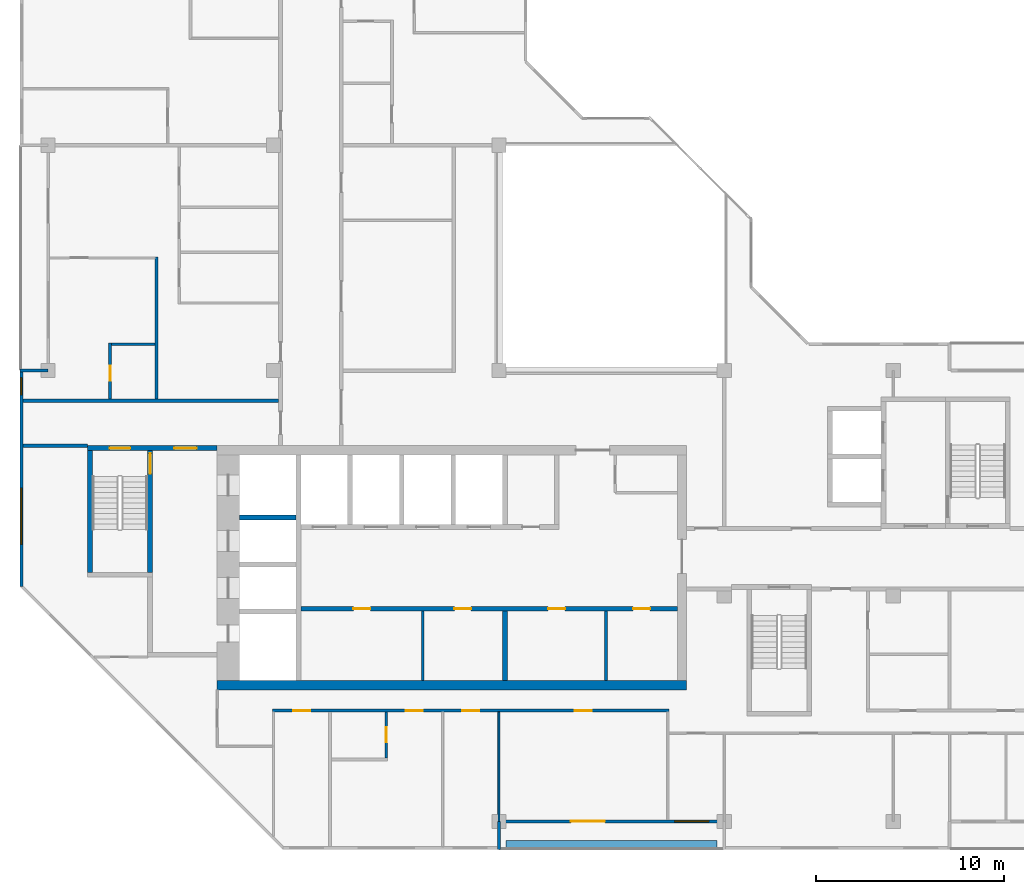
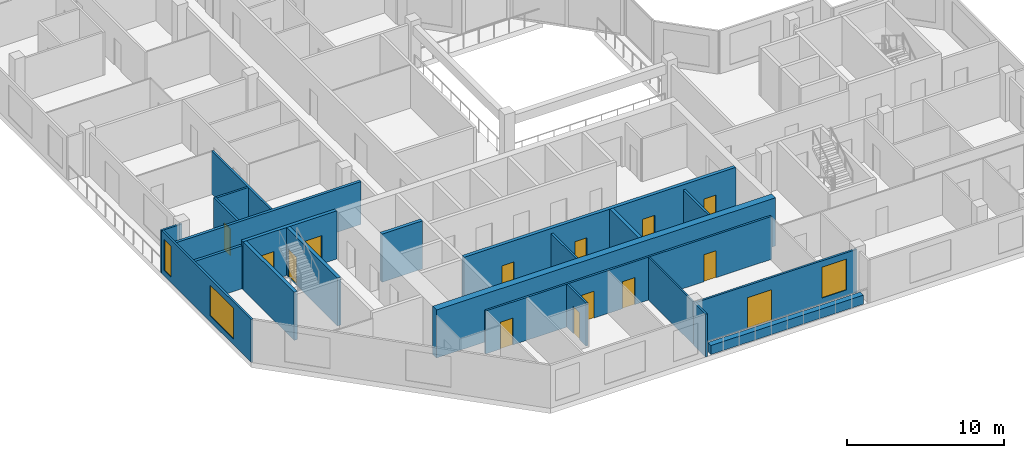
# One storey, part 4 of 12: 22 walls, 14 doors, 3 windows, 17 openings.
"""IFC4 building model written with IfcOpenShell, lengths in metres."""

from ifc_helpers import new_model, si_unit, direction, frame, frame_2d, origin, place, context, subcontext, project, spatial, rectangle, extrude, material, layer, layer_set, type_object, element, fill, save


model = new_model("IFC4")

# Units and contexts
model_context = context("Model", 3, precision=1e-05, world=origin(), true_north=direction((0.0, 1.0)))
body_context = subcontext(model_context, "Body", "Model", "MODEL_VIEW")
ifc_project = project(units=[si_unit("LENGTHUNIT", "METRE"), si_unit("AREAUNIT", "SQUARE_METRE"), si_unit("VOLUMEUNIT", "CUBIC_METRE"), si_unit("PLANEANGLEUNIT", "RADIAN"), si_unit("MASSUNIT", "GRAM", prefix="KILO")], contexts=[model_context])

# Site, building, storey
site_placement = place(None, origin())
site = spatial("IfcSite", under=ifc_project, at=site_placement, CompositionType="ELEMENT")
building_placement = place(site_placement, origin())
building = spatial("IfcBuilding", under=site, at=building_placement, Name="Chenar Terraces", CompositionType="ELEMENT")
storey_placement = place(building_placement, frame((0.0, 0.0, 372.64990234375)))
storey = spatial("IfcBuildingStorey", under=building, at=storey_placement, Name="L87", CompositionType="ELEMENT", Elevation=372.64990234375)

# Walls
ifc_material_1 = material(Name="Gypsum board on steel studs", Category="steel")
ifc_layer_1 = layer(ifc_material_1, 0.14990234375)
ifc_layer_set_1 = layer_set([ifc_layer_1], Name="Gypsum board on steel studs")
wall_type_1 = type_object("IfcWallType", Name="Core partition 150 gypsum board", PredefinedType="PARTITIONING", material=ifc_layer_set_1)
for number, where, z_axis, x_axis, name in (
    (1, (19.949951171875, 7.5, 0.0), (0.0, 0.0, 1.0), (0.0, 1.0, 0.0), "Core partition CP1 freed bay wall"),
    (2, (29.699951171875, 7.5, 0.0), (0.0, 0.0, 1.0), (0.0, 1.0, 0.0), "Core partition CP1 freed bay wall"),
):
    element("IfcWall", number, at=place(storey_placement, frame(where, z_axis=z_axis, x_axis=x_axis)), inside=storey, type_object=wall_type_1, Name=name, PredefinedType="PARTITIONING", context=body_context, shape_type="SweptSolid", body=[
        extrude(rectangle(XDim=3.699951171875, YDim=0.14990234375, at=frame_2d((1.85009765625, 0.0))), origin(), (0.0, 0.0, 1.0), 3.35009765625),
    ])

# Wall, openings, doors
ifc_material_2 = material(Name="Concrete C50/60", Category="concrete")
ifc_layer_2 = layer(ifc_material_2, 0.25)
ifc_layer_set_2 = layer_set([ifc_layer_2], Name="Concrete C50/60")
wall_type_2 = type_object("IfcWallType", Name="Core wall 250 Concrete C50/60", PredefinedType="SHEAR", material=ifc_layer_set_2)
wall_1_placement = place(storey_placement, frame((13.449951171875, 11.324951171875, 0.0), z_axis=(0.0, 0.0, 1.0), x_axis=(1.0, 0.0, 0.0)))
wall_1 = element("IfcWall", 3, at=wall_1_placement, inside=storey, type_object=wall_type_2, Name="Core wall SF L87", PredefinedType="SHEAR", context=body_context, shape_type="SweptSolid", body=[
    extrude(rectangle(XDim=20.050048828125, YDim=0.25, at=frame_2d((10.02490234375, 0.0))), origin(), (0.0, 0.0, 1.0), 3.75),
])
opening_1_placement = place(wall_1_placement, frame((2.800048828125, 0.0, 0.0)))
opening_1 = element("IfcOpeningElement", 4, at=opening_1_placement, cuts=wall_1, Name="Opening DL87-C12", PredefinedType="OPENING", context=body_context, shape_type="SweptSolid", body=[
    extrude(rectangle(XDim=0.89990234375, YDim=2.10009765625, at=frame_2d((0.449951171875, 1.050048828125))), frame((0.0, 0.135009765625, 0.0), z_axis=(0.0, -1.0, 0.0), x_axis=(1.0, 0.0, 0.0)), (0.0, 0.0, 1.0), 0.27001953125),
])
opening_2_placement = place(wall_1_placement, frame((8.175048828125, 0.0, 0.0)))
opening_2 = element("IfcOpeningElement", 5, at=opening_2_placement, cuts=wall_1, Name="Opening DL87-C13", PredefinedType="OPENING", context=body_context, shape_type="SweptSolid", body=[
    extrude(rectangle(XDim=0.89990234375, YDim=2.10009765625, at=frame_2d((0.449951171875, 1.050048828125))), frame((0.0, 0.135009765625, 0.0), z_axis=(0.0, -1.0, 0.0), x_axis=(1.0, 0.0, 0.0)), (0.0, 0.0, 1.0), 0.27001953125),
])
opening_3_placement = place(wall_1_placement, frame((13.175048828125, 0.0, 0.0)))
opening_3 = element("IfcOpeningElement", 6, at=opening_3_placement, cuts=wall_1, Name="Opening DL87-C14", PredefinedType="OPENING", context=body_context, shape_type="SweptSolid", body=[
    extrude(rectangle(XDim=0.89990234375, YDim=2.10009765625, at=frame_2d((0.449951171875, 1.050048828125))), frame((0.0, 0.135009765625, 0.0), z_axis=(0.0, -1.0, 0.0), x_axis=(1.0, 0.0, 0.0)), (0.0, 0.0, 1.0), 0.27001953125),
])
opening_4_placement = place(wall_1_placement, frame((17.699951171875, 0.0, 0.0)))
opening_4 = element("IfcOpeningElement", 7, at=opening_4_placement, cuts=wall_1, Name="Opening DL87-C15", PredefinedType="OPENING", context=body_context, shape_type="SweptSolid", body=[
    extrude(rectangle(XDim=0.89990234375, YDim=2.10009765625, at=frame_2d((0.449951171875, 1.050048828125))), frame((0.0, 0.135009765625, 0.0), z_axis=(0.0, -1.0, 0.0), x_axis=(1.0, 0.0, 0.0)), (0.0, 0.0, 1.0), 0.27001953125),
])
ifc_material_3 = material(Name="Steel-framed fire-resisting door leaf", Category="steel")
door_type_1 = type_object("IfcDoorType", Name="Riser fire door FD60 900 x 2100", OperationType="SINGLE_SWING_LEFT", PredefinedType="DOOR", material=ifc_material_3)
door_1_placement = place(opening_1_placement, frame((0.89990234375, 0.0, 0.0), z_axis=(0.0, 0.0, 1.0), x_axis=(-1.0, 0.0, 0.0)))
door_1 = element("IfcDoor", 8, at=door_1_placement, inside=storey, type_object=door_type_1, Name="Core room door DL87-C12", OperationType="SINGLE_SWING_LEFT", OverallHeight=2.10009765625, OverallWidth=0.89990234375, PredefinedType="DOOR", context=body_context, shape_type="SweptSolid", body=[
    extrude(rectangle(XDim=0.89990234375, YDim=2.10009765625, at=frame_2d((0.449951171875, 1.050048828125))), frame((0.0, 0.02490234375, 0.0), z_axis=(0.0, -1.0, 0.0), x_axis=(1.0, 0.0, 0.0)), (0.0, 0.0, 1.0), 0.050048828125),
])
fill(opening_1, door_1)
door_2_placement = place(opening_2_placement, frame((0.89990234375, 0.0, 0.0), z_axis=(0.0, 0.0, 1.0), x_axis=(-1.0, 0.0, 0.0)))
door_2 = element("IfcDoor", 9, at=door_2_placement, inside=storey, type_object=door_type_1, Name="Core room door DL87-C13", OperationType="SINGLE_SWING_LEFT", OverallHeight=2.10009765625, OverallWidth=0.89990234375, PredefinedType="DOOR", context=body_context, shape_type="SweptSolid", body=[
    extrude(rectangle(XDim=0.89990234375, YDim=2.10009765625, at=frame_2d((0.449951171875, 1.050048828125))), frame((0.0, 0.02490234375, 0.0), z_axis=(0.0, -1.0, 0.0), x_axis=(1.0, 0.0, 0.0)), (0.0, 0.0, 1.0), 0.050048828125),
])
fill(opening_2, door_2)
door_3_placement = place(opening_3_placement, frame((0.89990234375, 0.0, 0.0), z_axis=(0.0, 0.0, 1.0), x_axis=(-1.0, 0.0, 0.0)))
door_3 = element("IfcDoor", 10, at=door_3_placement, inside=storey, type_object=door_type_1, Name="Core room door DL87-C14", OperationType="SINGLE_SWING_LEFT", OverallHeight=2.10009765625, OverallWidth=0.89990234375, PredefinedType="DOOR", context=body_context, shape_type="SweptSolid", body=[
    extrude(rectangle(XDim=0.89990234375, YDim=2.10009765625, at=frame_2d((0.449951171875, 1.050048828125))), frame((0.0, 0.02490234375, 0.0), z_axis=(0.0, -1.0, 0.0), x_axis=(1.0, 0.0, 0.0)), (0.0, 0.0, 1.0), 0.050048828125),
])
fill(opening_3, door_3)
door_4_placement = place(opening_4_placement, frame((0.89990234375, 0.0, 0.0), z_axis=(0.0, 0.0, 1.0), x_axis=(-1.0, 0.0, 0.0)))
door_4 = element("IfcDoor", 11, at=door_4_placement, inside=storey, type_object=door_type_1, Name="Core room door DL87-C15", OperationType="SINGLE_SWING_RIGHT", OverallHeight=2.10009765625, OverallWidth=0.89990234375, PredefinedType="DOOR", context=body_context, shape_type="SweptSolid", body=[
    extrude(rectangle(XDim=0.89990234375, YDim=2.10009765625, at=frame_2d((0.449951171875, 1.050048828125))), frame((0.0, 0.02490234375, 0.0), z_axis=(0.0, -1.0, 0.0), x_axis=(1.0, 0.0, 0.0)), (0.0, 0.0, 1.0), 0.050048828125),
])
fill(opening_4, door_4)

# Walls
wall_2_placement = place(storey_placement, frame((10.199951171875, 16.175048828125, 0.0), z_axis=(0.0, 0.0, 1.0), x_axis=(1.0, 0.0, 0.0)))
element("IfcWall", 12, at=wall_2_placement, inside=storey, type_object=wall_type_2, Name="Core wall HW2 L87", PredefinedType="SHEAR", context=body_context, shape_type="SweptSolid", body=[
    extrude(rectangle(XDim=3.0, YDim=0.25, at=frame_2d((1.5, 0.0))), origin(), (0.0, 0.0, 1.0), 3.75),
])
wall_3_placement = place(storey_placement, frame((24.324951171875, 7.5, 0.0), z_axis=(0.0, 0.0, 1.0), x_axis=(0.0, 1.0, 0.0)))
element("IfcWall", 13, at=wall_3_placement, inside=storey, type_object=wall_type_2, Name="Core wall SS3 L87", PredefinedType="SHEAR", context=body_context, shape_type="SweptSolid", body=[
    extrude(rectangle(XDim=3.699951171875, YDim=0.25, at=frame_2d((1.85009765625, 0.0))), origin(), (0.0, 0.0, 1.0), 3.75),
])

# Wall, openings, doors
wall_4_placement = place(storey_placement, frame((2.10009765625, 19.875, 0.0), z_axis=(0.0, 0.0, 1.0), x_axis=(1.0, 0.0, 0.0)))
wall_4 = element("IfcWall", 14, at=wall_4_placement, inside=storey, type_object=wall_type_2, Name="Core wall A_N L87", PredefinedType="SHEAR", context=body_context, shape_type="SweptSolid", body=[
    extrude(rectangle(XDim=6.89990234375, YDim=0.25, at=frame_2d((3.449951171875, 0.0))), origin(), (0.0, 0.0, 1.0), 3.75),
])
opening_5_placement = place(wall_4_placement, frame((1.175048828125, 0.0, 0.0)))
opening_5 = element("IfcOpeningElement", 15, at=opening_5_placement, cuts=wall_4, Name="Opening DL87-C5", PredefinedType="OPENING", context=body_context, shape_type="SweptSolid", body=[
    extrude(rectangle(XDim=1.10009765625, YDim=2.199951171875, at=frame_2d((0.550048828125, 1.10009765625))), frame((0.0, 0.135009765625, 0.0), z_axis=(0.0, -1.0, 0.0), x_axis=(1.0, 0.0, 0.0)), (0.0, 0.0, 1.0), 0.27001953125),
])
opening_6_placement = place(wall_4_placement, frame((4.60009765625, 0.0, 0.0)))
opening_6 = element("IfcOpeningElement", 16, at=opening_6_placement, cuts=wall_4, Name="Opening DL87-C6", PredefinedType="OPENING", context=body_context, shape_type="SweptSolid", body=[
    extrude(rectangle(XDim=1.199951171875, YDim=2.199951171875, at=frame_2d((0.60009765625, 1.10009765625))), frame((0.0, 0.135009765625, 0.0), z_axis=(0.0, -1.0, 0.0), x_axis=(1.0, 0.0, 0.0)), (0.0, 0.0, 1.0), 0.27001953125),
])
ifc_material_4 = material(Name="Steel-framed fire-resisting door leaf", Category="steel")
door_type_2 = type_object("IfcDoorType", Name="Lobby fire door FD60 1200 x 2200", OperationType="SINGLE_SWING_LEFT", PredefinedType="DOOR", material=ifc_material_4)
door_5_placement = place(opening_6_placement, frame((1.199951171875, 0.0, 0.0), z_axis=(0.0, 0.0, 1.0), x_axis=(-1.0, 0.0, 0.0)))
door_5 = element("IfcDoor", 17, at=door_5_placement, inside=storey, type_object=door_type_2, Name="Core door DL87-C6", OperationType="SINGLE_SWING_LEFT", OverallHeight=2.199951171875, OverallWidth=1.199951171875, PredefinedType="DOOR", context=body_context, shape_type="SweptSolid", body=[
    extrude(rectangle(XDim=1.199951171875, YDim=2.199951171875, at=frame_2d((0.60009765625, 1.10009765625))), frame((0.0, 0.02490234375, 0.0), z_axis=(0.0, -1.0, 0.0), x_axis=(1.0, 0.0, 0.0)), (0.0, 0.0, 1.0), 0.050048828125),
])
fill(opening_6, door_5)
ifc_material_5 = material(Name="Steel-framed fire-resisting door leaf", Category="steel")
door_type_3 = type_object("IfcDoorType", Name="Stair fire door FD60 1100 x 2200", OperationType="SINGLE_SWING_LEFT", PredefinedType="DOOR", material=ifc_material_5)
door_6_placement = place(opening_5_placement, origin())
door_6 = element("IfcDoor", 18, at=door_6_placement, inside=storey, type_object=door_type_3, Name="Stair door DL87-C5", OperationType="SINGLE_SWING_LEFT", OverallHeight=2.199951171875, OverallWidth=1.10009765625, PredefinedType="DOOR", context=body_context, shape_type="SweptSolid", body=[
    extrude(rectangle(XDim=1.10009765625, YDim=2.199951171875, at=frame_2d((0.550048828125, 1.10009765625))), frame((0.0, 0.02490234375, 0.0), z_axis=(0.0, -1.0, 0.0), x_axis=(1.0, 0.0, 0.0)), (0.0, 0.0, 1.0), 0.050048828125),
])
fill(opening_5, door_6)

# Wall
wall_5_placement = place(storey_placement, frame((2.22509765625, 13.25, 0.0), z_axis=(0.0, 0.0, 1.0), x_axis=(0.0, 1.0, 0.0)))
element("IfcWall", 19, at=wall_5_placement, inside=storey, type_object=wall_type_2, Name="Core wall ST1_W L87", PredefinedType="SHEAR", context=body_context, shape_type="SweptSolid", body=[
    extrude(rectangle(XDim=6.5, YDim=0.25, at=frame_2d((3.25, 0.0))), origin(), (0.0, 0.0, 1.0), 3.75),
])

# Wall, opening, door
wall_6_placement = place(storey_placement, frame((5.425048828125, 13.25, 0.0), z_axis=(0.0, 0.0, 1.0), x_axis=(0.0, 1.0, 0.0)))
wall_6 = element("IfcWall", 20, at=wall_6_placement, inside=storey, type_object=wall_type_2, Name="Core wall ST1_E L87", PredefinedType="SHEAR", context=body_context, shape_type="SweptSolid", body=[
    extrude(rectangle(XDim=6.5, YDim=0.25, at=frame_2d((3.25, 0.0))), origin(), (0.0, 0.0, 1.0), 3.75),
])
opening_7_placement = place(wall_6_placement, frame((5.25, 0.0, 0.0)))
opening_7 = element("IfcOpeningElement", 21, at=opening_7_placement, cuts=wall_6, Name="Opening DL87-C3", PredefinedType="OPENING", context=body_context, shape_type="SweptSolid", body=[
    extrude(rectangle(XDim=1.10009765625, YDim=2.199951171875, at=frame_2d((0.550048828125, 1.10009765625))), frame((0.0, 0.135009765625, 0.0), z_axis=(0.0, -1.0, 0.0), x_axis=(1.0, 0.0, 0.0)), (0.0, 0.0, 1.0), 0.27001953125),
])
door_7_placement = place(opening_7_placement, origin())
door_7 = element("IfcDoor", 22, at=door_7_placement, inside=storey, type_object=door_type_3, Name="Stair door DL87-C3", OperationType="SINGLE_SWING_RIGHT", OverallHeight=2.199951171875, OverallWidth=1.10009765625, PredefinedType="DOOR", context=body_context, shape_type="SweptSolid", body=[
    extrude(rectangle(XDim=1.10009765625, YDim=2.199951171875, at=frame_2d((0.550048828125, 1.10009765625))), frame((0.0, 0.02490234375, 0.0), z_axis=(0.0, -1.0, 0.0), x_axis=(1.0, 0.0, 0.0)), (0.0, 0.0, 1.0), 0.050048828125),
])
fill(opening_7, door_7)

# Walls
ifc_material_6 = material(Name="Concrete C50/60", Category="concrete")
ifc_layer_3 = layer(ifc_material_6, 0.5)
ifc_layer_set_3 = layer_set([ifc_layer_3], Name="Concrete C50/60")
wall_type_3 = type_object("IfcWallType", Name="Core wall 500 Concrete C50/60", PredefinedType="SHEAR", material=ifc_layer_set_3)
wall_7_placement = place(storey_placement, frame((9.0, 7.25, 0.0), z_axis=(0.0, 0.0, 1.0), x_axis=(1.0, 0.0, 0.0)))
element("IfcWall", 23, at=wall_7_placement, inside=storey, type_object=wall_type_3, Name="Core wall S L87", PredefinedType="SHEAR", context=body_context, shape_type="SweptSolid", body=[
    extrude(rectangle(XDim=25.0, YDim=0.5, at=frame_2d((12.5, 0.0))), origin(), (0.0, 0.0, 1.0), 3.75),
])
ifc_material_7 = material(Name="Gypsum board on steel studs with fire boards", Category="steel")
ifc_layer_4 = layer(ifc_material_7, 0.199951171875)
ifc_layer_set_4 = layer_set([ifc_layer_4], Name="Gypsum board on steel studs with fire boards")
wall_type_4 = type_object("IfcWallType", Name="Corridor wall 200", PredefinedType="PARTITIONING", material=ifc_layer_set_4)
wall_8_placement = place(storey_placement, frame((-1.35009765625, 20.0, 0.0), z_axis=(0.0, 0.0, 1.0), x_axis=(1.0, 0.0, 0.0)))
element("IfcWall", 24, at=wall_8_placement, inside=storey, type_object=wall_type_4, Name="Partition L87-001", PredefinedType="PARTITIONING", context=body_context, shape_type="SweptSolid", body=[
    extrude(rectangle(XDim=3.4501953125, YDim=0.199951171875, at=frame_2d((1.72509765625, 0.0))), origin(), (0.0, 0.0, 1.0), 3.35009765625),
])
wall_9_placement = place(storey_placement, frame((-1.35009765625, 22.39990234375, 0.0), z_axis=(0.0, 0.0, 1.0), x_axis=(1.0, 0.0, 0.0)))
element("IfcWall", 25, at=wall_9_placement, inside=storey, type_object=wall_type_4, Name="Partition L87-002", PredefinedType="PARTITIONING", context=body_context, shape_type="SweptSolid", body=[
    extrude(rectangle(XDim=13.625, YDim=0.199951171875, at=frame_2d((6.8125, 0.0))), origin(), (0.0, 0.0, 1.0), 3.35009765625),
])

# Wall, openings, windows
ifc_material_8 = material(Name="Aluminium framed glazing", Category="aluminium")
ifc_layer_5 = layer(ifc_material_8, 0.14990234375)
ifc_layer_set_5 = layer_set([ifc_layer_5], Name="Aluminium framed glazing")
wall_type_5 = type_object("IfcWallType", Name="Glazed flush facade wall 150", PredefinedType="SOLIDWALL", material=ifc_layer_set_5)
wall_10_placement = place(storey_placement, frame((-1.425048828125, 23.925048828125, 0.0), z_axis=(0.0, 0.0, 1.0), x_axis=(0.0, -1.0, 0.0)))
wall_10 = element("IfcWall", 26, at=wall_10_placement, inside=storey, type_object=wall_type_5, Name="Glazed flush facade wall", PredefinedType="SOLIDWALL", context=body_context, shape_type="SweptSolid", body=[
    extrude(rectangle(XDim=11.425048828125, YDim=0.14990234375, at=frame_2d((5.71240234375, 0.0))), origin(), (0.0, 0.0, 1.0), 3.35009765625),
])
opening_8_placement = place(wall_10_placement, frame((0.3125, 0.0, 0.449951171875)))
opening_8 = element("IfcOpeningElement", 27, at=opening_8_placement, cuts=wall_10, Name="Opening W90x240", PredefinedType="OPENING", context=body_context, shape_type="SweptSolid", body=[
    extrude(rectangle(XDim=0.89990234375, YDim=2.39990234375, at=frame_2d((0.449951171875, 1.199951171875))), frame((0.0, 0.0849609375, 0.0), z_axis=(0.0, -1.0, 0.0), x_axis=(1.0, 0.0, 0.0)), (0.0, 0.0, 1.0), 0.169921875),
])
opening_9_placement = place(wall_10_placement, frame((6.175048828125, 0.0, 0.449951171875)))
opening_9 = element("IfcOpeningElement", 28, at=opening_9_placement, cuts=wall_10, Name="Opening W300x240", PredefinedType="OPENING", context=body_context, shape_type="SweptSolid", body=[
    extrude(rectangle(XDim=3.0, YDim=2.39990234375, at=frame_2d((1.5, 1.199951171875))), frame((0.0, 0.0849609375, 0.0), z_axis=(0.0, -1.0, 0.0), x_axis=(1.0, 0.0, 0.0)), (0.0, 0.0, 1.0), 0.169921875),
])
ifc_material_9 = material(Name="Low emissivity double glazing, aluminium frame", Category="aluminium")
window_type_1 = type_object("IfcWindowType", Name="Fixed light 3000 x 2400", PartitioningType="SINGLE_PANEL", PredefinedType="WINDOW", material=ifc_material_9)
window_1_placement = place(opening_9_placement, origin())
window_1 = element("IfcWindow", 29, at=window_1_placement, inside=storey, type_object=window_type_1, Name="Window", OverallHeight=2.39990234375, OverallWidth=3.0, PartitioningType="SINGLE_PANEL", PredefinedType="WINDOW", context=body_context, shape_type="SweptSolid", body=[
    extrude(rectangle(XDim=3.0, YDim=2.39990234375, at=frame_2d((1.5, 1.199951171875))), frame((0.0, 0.030029296875, 0.0), z_axis=(0.0, -1.0, 0.0), x_axis=(1.0, 0.0, 0.0)), (0.0, 0.0, 1.0), 0.06005859375),
])
fill(opening_9, window_1)
ifc_material_10 = material(Name="Low emissivity double glazing, aluminium frame", Category="aluminium")
window_type_2 = type_object("IfcWindowType", Name="Fixed light 900 x 2400", PartitioningType="SINGLE_PANEL", PredefinedType="WINDOW", material=ifc_material_10)
window_2_placement = place(opening_8_placement, origin())
window_2 = element("IfcWindow", 30, at=window_2_placement, inside=storey, type_object=window_type_2, Name="Window", OverallHeight=2.39990234375, OverallWidth=0.89990234375, PartitioningType="SINGLE_PANEL", PredefinedType="WINDOW", context=body_context, shape_type="SweptSolid", body=[
    extrude(rectangle(XDim=0.89990234375, YDim=2.39990234375, at=frame_2d((0.449951171875, 1.199951171875))), frame((0.0, 0.030029296875, 0.0), z_axis=(0.0, -1.0, 0.0), x_axis=(1.0, 0.0, 0.0)), (0.0, 0.0, 1.0), 0.06005859375),
])
fill(opening_8, window_2)

# Wall, openings, window, door
ifc_material_11 = material(Name="Aluminium framed glazing", Category="aluminium")
ifc_layer_6 = layer(ifc_material_11, 0.14990234375)
ifc_layer_set_6 = layer_set([ifc_layer_6], Name="Aluminium framed glazing")
wall_type_6 = type_object("IfcWallType", Name="Glazed loggia back wall 150", PredefinedType="SOLIDWALL", material=ifc_layer_set_6)
wall_11_placement = place(storey_placement, frame((24.074951171875, 0.0, 0.0), z_axis=(0.0, 0.0, 1.0), x_axis=(1.0, 0.0, 0.0)))
wall_11 = element("IfcWall", 31, at=wall_11_placement, inside=storey, type_object=wall_type_6, Name="Glazed loggia back wall", PredefinedType="SOLIDWALL", context=body_context, shape_type="SweptSolid", body=[
    extrude(rectangle(XDim=11.85009765625, YDim=0.14990234375, at=frame_2d((5.925048828125, 0.0))), origin(), (0.0, 0.0, 1.0), 3.35009765625),
])
opening_10_placement = place(wall_11_placement, frame((3.762451171875, 0.0, 0.0)))
opening_10 = element("IfcOpeningElement", 32, at=opening_10_placement, cuts=wall_11, Name="Opening DL87-G3", PredefinedType="OPENING", context=body_context, shape_type="SweptSolid", body=[
    extrude(rectangle(XDim=1.800048828125, YDim=2.39990234375, at=frame_2d((0.89990234375, 1.199951171875))), frame((0.0, 0.0849609375, 0.0), z_axis=(0.0, -1.0, 0.0), x_axis=(1.0, 0.0, 0.0)), (0.0, 0.0, 1.0), 0.169921875),
])
opening_11_placement = place(wall_11_placement, frame((9.28759765625, 0.0, 0.449951171875)))
opening_11 = element("IfcOpeningElement", 33, at=opening_11_placement, cuts=wall_11, Name="Opening W180x240", PredefinedType="OPENING", context=body_context, shape_type="SweptSolid", body=[
    extrude(rectangle(XDim=1.800048828125, YDim=2.39990234375, at=frame_2d((0.89990234375, 1.199951171875))), frame((0.0, 0.0849609375, 0.0), z_axis=(0.0, -1.0, 0.0), x_axis=(1.0, 0.0, 0.0)), (0.0, 0.0, 1.0), 0.169921875),
])
ifc_material_12 = material(Name="Low emissivity double glazing, aluminium frame", Category="aluminium")
window_type_3 = type_object("IfcWindowType", Name="Fixed light 1800 x 2400", PartitioningType="SINGLE_PANEL", PredefinedType="WINDOW", material=ifc_material_12)
window_3_placement = place(opening_11_placement, origin())
window_3 = element("IfcWindow", 34, at=window_3_placement, inside=storey, type_object=window_type_3, Name="Window", OverallHeight=2.39990234375, OverallWidth=1.800048828125, PartitioningType="SINGLE_PANEL", PredefinedType="WINDOW", context=body_context, shape_type="SweptSolid", body=[
    extrude(rectangle(XDim=1.800048828125, YDim=2.39990234375, at=frame_2d((0.89990234375, 1.199951171875))), frame((0.0, 0.030029296875, 0.0), z_axis=(0.0, -1.0, 0.0), x_axis=(1.0, 0.0, 0.0)), (0.0, 0.0, 1.0), 0.06005859375),
])
fill(opening_11, window_3)
ifc_material_13 = material(Name="Low emissivity double glazing, aluminium frame", Category="aluminium")
door_type_4 = type_object("IfcDoorType", Name="Loggia glazed double door 1800 x 2400", OperationType="DOUBLE_DOOR_SINGLE_SWING", PredefinedType="DOOR", material=ifc_material_13)
door_8_placement = place(opening_10_placement, frame((1.800048828125, 0.0, 0.0), z_axis=(0.0, 0.0, 1.0), x_axis=(-1.0, 0.0, 0.0)))
door_8 = element("IfcDoor", 35, at=door_8_placement, inside=storey, type_object=door_type_4, Name="Loggia glazed door", OperationType="DOUBLE_DOOR_SINGLE_SWING", OverallHeight=2.39990234375, OverallWidth=1.800048828125, PredefinedType="DOOR", context=body_context, shape_type="SweptSolid", body=[
    extrude(rectangle(XDim=1.800048828125, YDim=2.39990234375, at=frame_2d((0.89990234375, 1.199951171875))), frame((0.0, 0.02490234375, 0.0), z_axis=(0.0, -1.0, 0.0), x_axis=(1.0, 0.0, 0.0)), (0.0, 0.0, 1.0), 0.050048828125),
])
fill(opening_10, door_8)

# Walls
ifc_material_14 = material(Name="Gypsum board on steel studs", Category="steel")
ifc_layer_7 = layer(ifc_material_14, 0.10009765625)
ifc_layer_set_7 = layer_set([ifc_layer_7], Name="Gypsum board on steel studs")
wall_type_7 = type_object("IfcWallType", Name="Gypsum partition 100", PredefinedType="PARTITIONING", material=ifc_layer_set_7)
wall_12_placement = place(storey_placement, frame((24.0, 0.0, 0.0), z_axis=(0.0, 0.0, 1.0), x_axis=(0.0, 1.0, 0.0)))
element("IfcWall", 36, at=wall_12_placement, inside=storey, type_object=wall_type_7, Name="Partition L87-045", PredefinedType="PARTITIONING", context=body_context, shape_type="SweptSolid", body=[
    extrude(rectangle(XDim=5.824951171875, YDim=0.10009765625, at=frame_2d((2.91259765625, 0.0))), origin(), (0.0, 0.0, 1.0), 3.35009765625),
])
ifc_material_15 = material(Name="Terracotta cladding on insulated backing", Category="masonry")
ifc_layer_8 = layer(ifc_material_15, 0.14990234375)
ifc_layer_set_8 = layer_set([ifc_layer_8], Name="Terracotta cladding on insulated backing")
wall_type_8 = type_object("IfcWallType", Name="Loggia return wall 150", PredefinedType="SOLIDWALL", material=ifc_layer_set_8)
for number, where, z_axis, x_axis, name in (
    (37, (-1.5, 24.0, 0.0), (0.0, 0.0, 1.0), (1.0, 0.0, 0.0), "Loggia return wall"),
    (38, (24.0, -1.5, 0.0), (0.0, 0.0, 1.0), (0.0, 1.0, 0.0), "Loggia return wall"),
):
    element("IfcWall", number, at=place(storey_placement, frame(where, z_axis=z_axis, x_axis=x_axis)), inside=storey, type_object=wall_type_8, Name=name, PredefinedType="SOLIDWALL", context=body_context, shape_type="SweptSolid", body=[
        extrude(rectangle(XDim=1.5, YDim=0.14990234375, at=frame_2d((0.75, 0.0))), origin(), (0.0, 0.0, 1.0), 3.35009765625),
    ])
ifc_material_16 = material(Name="GRP planter trough")
ifc_layer_9 = layer(ifc_material_16, 0.39990234375)
ifc_layer_set_9 = layer_set([ifc_layer_9], Name="GRP planter trough")
wall_type_9 = type_object("IfcWallType", Name="Vertical greenery planter 400", PredefinedType="SOLIDWALL", material=ifc_layer_set_9)
wall_13_placement = place(storey_placement, frame((24.375, -1.22900390625, 0.0), z_axis=(0.0, 0.0, 1.0), x_axis=(1.0, 0.0, 0.0)))
element("IfcWall", 39, at=wall_13_placement, inside=storey, type_object=wall_type_9, Name="Vertical greenery planter", PredefinedType="SOLIDWALL", context=body_context, shape_type="SweptSolid", body=[
    extrude(rectangle(XDim=11.25, YDim=0.39990234375, at=frame_2d((5.625, 0.0))), origin(), (0.0, 0.0, 1.0), 0.7001953125),
])

# Wall, opening, door
ifc_material_17 = material(Name="Moisture-resistant gypsum board on steel studs", Category="steel")
ifc_layer_10 = layer(ifc_material_17, 0.14990234375)
ifc_layer_set_10 = layer_set([ifc_layer_10], Name="Moisture-resistant gypsum board on steel studs")
wall_type_10 = type_object("IfcWallType", Name="Wet-room partition 150", PredefinedType="PARTITIONING", material=ifc_layer_set_10)
wall_14_placement = place(storey_placement, frame((3.300048828125, 22.5, 0.0), z_axis=(0.0, 0.0, 1.0), x_axis=(0.0, 1.0, 0.0)))
wall_14 = element("IfcWall", 40, at=wall_14_placement, inside=storey, type_object=wall_type_10, Name="Partition L87-009", PredefinedType="PARTITIONING", context=body_context, shape_type="SweptSolid", body=[
    extrude(rectangle(XDim=2.97509765625, YDim=0.14990234375, at=frame_2d((1.487548828125, 0.0))), origin(), (0.0, 0.0, 1.0), 3.35009765625),
])
opening_12_placement = place(wall_14_placement, frame((0.949951171875, 0.0, 0.0)))
opening_12 = element("IfcOpeningElement", 41, at=opening_12_placement, cuts=wall_14, Name="Opening DL87-39", PredefinedType="OPENING", context=body_context, shape_type="SweptSolid", body=[
    extrude(rectangle(XDim=0.800048828125, YDim=2.10009765625, at=frame_2d((0.39990234375, 1.050048828125))), frame((0.0, 0.0849609375, 0.0), z_axis=(0.0, -1.0, 0.0), x_axis=(1.0, 0.0, 0.0)), (0.0, 0.0, 1.0), 0.169921875),
])
ifc_material_18 = material(Name="Veneered timber door leaf", Category="wood")
door_type_5 = type_object("IfcDoorType", Name="Door 800 x 2100", OperationType="SINGLE_SWING_LEFT", PredefinedType="DOOR", material=ifc_material_18)
door_9_placement = place(opening_12_placement, frame((0.800048828125, 0.0, 0.0), z_axis=(0.0, 0.0, 1.0), x_axis=(-1.0, 0.0, 0.0)))
door_9 = element("IfcDoor", 42, at=door_9_placement, inside=storey, type_object=door_type_5, Name="Door DL87-39", OperationType="SINGLE_SWING_RIGHT", OverallHeight=2.10009765625, OverallWidth=0.800048828125, PredefinedType="DOOR", context=body_context, shape_type="SweptSolid", body=[
    extrude(rectangle(XDim=0.800048828125, YDim=2.10009765625, at=frame_2d((0.39990234375, 1.050048828125))), frame((0.0, 0.02490234375, 0.0), z_axis=(0.0, -1.0, 0.0), x_axis=(1.0, 0.0, 0.0)), (0.0, 0.0, 1.0), 0.050048828125),
])
fill(opening_12, door_9)

# Walls
wall_15_placement = place(storey_placement, frame((3.375, 25.39990234375, 0.0), z_axis=(0.0, 0.0, 1.0), x_axis=(1.0, 0.0, 0.0)))
element("IfcWall", 43, at=wall_15_placement, inside=storey, type_object=wall_type_10, Name="Partition L87-010", PredefinedType="PARTITIONING", context=body_context, shape_type="SweptSolid", body=[
    extrude(rectangle(XDim=2.324951171875, YDim=0.14990234375, at=frame_2d((1.16259765625, 0.0))), origin(), (0.0, 0.0, 1.0), 3.35009765625),
])
wall_16_placement = place(storey_placement, frame((5.77490234375, 22.5, 0.0), z_axis=(0.0, 0.0, 1.0), x_axis=(0.0, 1.0, 0.0)))
element("IfcWall", 44, at=wall_16_placement, inside=storey, type_object=wall_type_10, Name="Partition L87-013", PredefinedType="PARTITIONING", context=body_context, shape_type="SweptSolid", body=[
    extrude(rectangle(XDim=7.550048828125, YDim=0.14990234375, at=frame_2d((3.77490234375, 0.0))), origin(), (0.0, 0.0, 1.0), 3.35009765625),
])

# Wall, openings, doors
wall_17_placement = place(storey_placement, frame((11.949951171875, 5.89990234375, 0.0), z_axis=(0.0, 0.0, 1.0), x_axis=(1.0, 0.0, 0.0)))
wall_17 = element("IfcWall", 45, at=wall_17_placement, inside=storey, type_object=wall_type_10, Name="Partition L87-026", PredefinedType="PARTITIONING", context=body_context, shape_type="SweptSolid", body=[
    extrude(rectangle(XDim=21.10009765625, YDim=0.14990234375, at=frame_2d((10.550048828125, 0.0))), origin(), (0.0, 0.0, 1.0), 3.35009765625),
])
opening_13_placement = place(wall_17_placement, frame((1.10009765625, 0.0, 0.0)))
opening_13 = element("IfcOpeningElement", 46, at=opening_13_placement, cuts=wall_17, Name="Opening DL87-22", PredefinedType="OPENING", context=body_context, shape_type="SweptSolid", body=[
    extrude(rectangle(XDim=0.89990234375, YDim=2.10009765625, at=frame_2d((0.449951171875, 1.050048828125))), frame((0.0, 0.0849609375, 0.0), z_axis=(0.0, -1.0, 0.0), x_axis=(1.0, 0.0, 0.0)), (0.0, 0.0, 1.0), 0.169921875),
])
opening_14_placement = place(wall_17_placement, frame((10.10009765625, 0.0, 0.0)))
opening_14 = element("IfcOpeningElement", 47, at=opening_14_placement, cuts=wall_17, Name="Opening DL87-23", PredefinedType="OPENING", context=body_context, shape_type="SweptSolid", body=[
    extrude(rectangle(XDim=0.89990234375, YDim=2.10009765625, at=frame_2d((0.449951171875, 1.050048828125))), frame((0.0, 0.0849609375, 0.0), z_axis=(0.0, -1.0, 0.0), x_axis=(1.0, 0.0, 0.0)), (0.0, 0.0, 1.0), 0.169921875),
])
opening_15_placement = place(wall_17_placement, frame((7.10009765625, 0.0, 0.0)))
opening_15 = element("IfcOpeningElement", 48, at=opening_15_placement, cuts=wall_17, Name="Opening DL87-30", PredefinedType="OPENING", context=body_context, shape_type="SweptSolid", body=[
    extrude(rectangle(XDim=0.89990234375, YDim=2.10009765625, at=frame_2d((0.449951171875, 1.050048828125))), frame((0.0, 0.0849609375, 0.0), z_axis=(0.0, -1.0, 0.0), x_axis=(1.0, 0.0, 0.0)), (0.0, 0.0, 1.0), 0.169921875),
])
opening_16_placement = place(wall_17_placement, frame((16.10009765625, 0.0, 0.0)))
opening_16 = element("IfcOpeningElement", 49, at=opening_16_placement, cuts=wall_17, Name="Opening DL87-35", PredefinedType="OPENING", context=body_context, shape_type="SweptSolid", body=[
    extrude(rectangle(XDim=0.89990234375, YDim=2.10009765625, at=frame_2d((0.449951171875, 1.050048828125))), frame((0.0, 0.0849609375, 0.0), z_axis=(0.0, -1.0, 0.0), x_axis=(1.0, 0.0, 0.0)), (0.0, 0.0, 1.0), 0.169921875),
])
ifc_material_19 = material(Name="Veneered timber door leaf", Category="wood")
door_type_6 = type_object("IfcDoorType", Name="Door 900 x 2100", OperationType="SINGLE_SWING_LEFT", PredefinedType="DOOR", material=ifc_material_19)
door_10_placement = place(opening_13_placement, frame((0.89990234375, 0.0, 0.0), z_axis=(0.0, 0.0, 1.0), x_axis=(-1.0, 0.0, 0.0)))
door_10 = element("IfcDoor", 50, at=door_10_placement, inside=storey, type_object=door_type_6, Name="Door DL87-22", OperationType="SINGLE_SWING_RIGHT", OverallHeight=2.10009765625, OverallWidth=0.89990234375, PredefinedType="DOOR", context=body_context, shape_type="SweptSolid", body=[
    extrude(rectangle(XDim=0.89990234375, YDim=2.10009765625, at=frame_2d((0.449951171875, 1.050048828125))), frame((0.0, 0.02490234375, 0.0), z_axis=(0.0, -1.0, 0.0), x_axis=(1.0, 0.0, 0.0)), (0.0, 0.0, 1.0), 0.050048828125),
])
fill(opening_13, door_10)
door_11_placement = place(opening_14_placement, frame((0.89990234375, 0.0, 0.0), z_axis=(0.0, 0.0, 1.0), x_axis=(-1.0, 0.0, 0.0)))
door_11 = element("IfcDoor", 51, at=door_11_placement, inside=storey, type_object=door_type_6, Name="Door DL87-23", OperationType="SINGLE_SWING_RIGHT", OverallHeight=2.10009765625, OverallWidth=0.89990234375, PredefinedType="DOOR", context=body_context, shape_type="SweptSolid", body=[
    extrude(rectangle(XDim=0.89990234375, YDim=2.10009765625, at=frame_2d((0.449951171875, 1.050048828125))), frame((0.0, 0.02490234375, 0.0), z_axis=(0.0, -1.0, 0.0), x_axis=(1.0, 0.0, 0.0)), (0.0, 0.0, 1.0), 0.050048828125),
])
fill(opening_14, door_11)
door_12_placement = place(opening_15_placement, frame((0.89990234375, 0.0, 0.0), z_axis=(0.0, 0.0, 1.0), x_axis=(-1.0, 0.0, 0.0)))
door_12 = element("IfcDoor", 52, at=door_12_placement, inside=storey, type_object=door_type_6, Name="Door DL87-30", OperationType="SINGLE_SWING_RIGHT", OverallHeight=2.10009765625, OverallWidth=0.89990234375, PredefinedType="DOOR", context=body_context, shape_type="SweptSolid", body=[
    extrude(rectangle(XDim=0.89990234375, YDim=2.10009765625, at=frame_2d((0.449951171875, 1.050048828125))), frame((0.0, 0.02490234375, 0.0), z_axis=(0.0, -1.0, 0.0), x_axis=(1.0, 0.0, 0.0)), (0.0, 0.0, 1.0), 0.050048828125),
])
fill(opening_15, door_12)
door_13_placement = place(opening_16_placement, frame((0.89990234375, 0.0, 0.0), z_axis=(0.0, 0.0, 1.0), x_axis=(-1.0, 0.0, 0.0)))
door_13 = element("IfcDoor", 53, at=door_13_placement, inside=storey, type_object=door_type_6, Name="Door DL87-35", OperationType="SINGLE_SWING_RIGHT", OverallHeight=2.10009765625, OverallWidth=0.89990234375, PredefinedType="DOOR", context=body_context, shape_type="SweptSolid", body=[
    extrude(rectangle(XDim=0.89990234375, YDim=2.10009765625, at=frame_2d((0.449951171875, 1.050048828125))), frame((0.0, 0.02490234375, 0.0), z_axis=(0.0, -1.0, 0.0), x_axis=(1.0, 0.0, 0.0)), (0.0, 0.0, 1.0), 0.050048828125),
])
fill(opening_16, door_13)

# Wall, opening, door
wall_18_placement = place(storey_placement, frame((18.0, 3.375, 0.0), z_axis=(0.0, 0.0, 1.0), x_axis=(0.0, 1.0, 0.0)))
wall_18 = element("IfcWall", 54, at=wall_18_placement, inside=storey, type_object=wall_type_10, Name="Partition L87-039", PredefinedType="PARTITIONING", context=body_context, shape_type="SweptSolid", body=[
    extrude(rectangle(XDim=2.449951171875, YDim=0.14990234375, at=frame_2d((1.22509765625, 0.0))), origin(), (0.0, 0.0, 1.0), 3.35009765625),
])
opening_17_placement = place(wall_18_placement, frame((0.824951171875, 0.0, 0.0)))
opening_17 = element("IfcOpeningElement", 55, at=opening_17_placement, cuts=wall_18, Name="Opening DL87-31", PredefinedType="OPENING", context=body_context, shape_type="SweptSolid", body=[
    extrude(rectangle(XDim=0.800048828125, YDim=2.10009765625, at=frame_2d((0.39990234375, 1.050048828125))), frame((0.0, 0.0849609375, 0.0), z_axis=(0.0, -1.0, 0.0), x_axis=(1.0, 0.0, 0.0)), (0.0, 0.0, 1.0), 0.169921875),
])
door_14_placement = place(opening_17_placement, origin())
door_14 = element("IfcDoor", 56, at=door_14_placement, inside=storey, type_object=door_type_5, Name="Door DL87-31", OperationType="SINGLE_SWING_RIGHT", OverallHeight=2.10009765625, OverallWidth=0.800048828125, PredefinedType="DOOR", context=body_context, shape_type="SweptSolid", body=[
    extrude(rectangle(XDim=0.800048828125, YDim=2.10009765625, at=frame_2d((0.39990234375, 1.050048828125))), frame((0.0, 0.02490234375, 0.0), z_axis=(0.0, -1.0, 0.0), x_axis=(1.0, 0.0, 0.0)), (0.0, 0.0, 1.0), 0.050048828125),
])
fill(opening_17, door_14)

save(model, "model.ifc")
